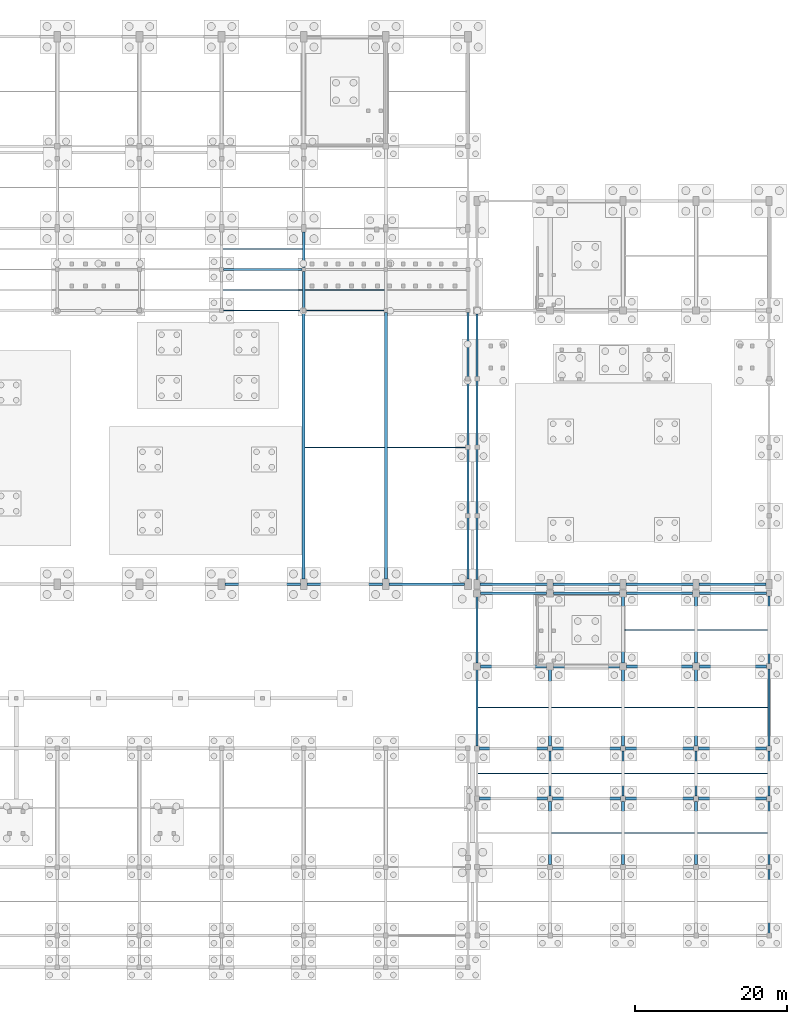
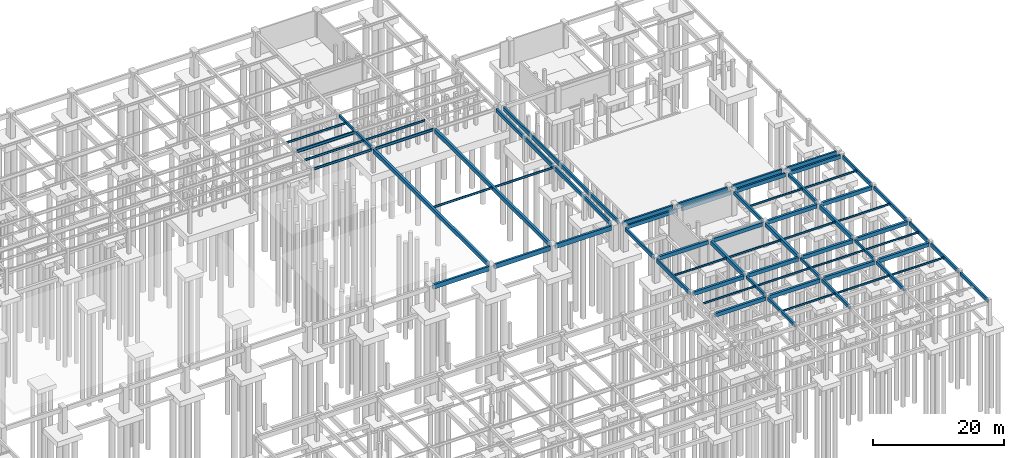
# One storey, part 19 of 33: 68 beams.
"""IFC4 building model written with IfcOpenShell, lengths in metres."""

from ifc_helpers import new_model, si_unit, direction, frame, origin, origin_2d, place, context, subcontext, project, spatial, rectangle, i_section, extrude, material, material_profile, profile_set, type_object, element, save


model = new_model("IFC4")

# Units and contexts
model_context = context("Model", 3, precision=1e-05, world=origin(), true_north=direction((0.0, 1.0)))
body_context = subcontext(model_context, "Body", "Model", "MODEL_VIEW")
ifc_project = project(units=[si_unit("LENGTHUNIT", "METRE"), si_unit("AREAUNIT", "SQUARE_METRE"), si_unit("VOLUMEUNIT", "CUBIC_METRE"), si_unit("PLANEANGLEUNIT", "RADIAN"), si_unit("MASSUNIT", "GRAM", prefix="KILO")], contexts=[model_context])

# Site, building, storey
site_placement = place(None, origin())
site = spatial("IfcSite", under=ifc_project, at=site_placement, CompositionType="ELEMENT")
building_placement = place(site_placement, origin())
building = spatial("IfcBuilding", under=site, at=building_placement, Name="Suirenkawa Promenade Aquatics Centre", CompositionType="ELEMENT")
storey_placement = place(building_placement, frame((0.0, 0.0, -4.800048828125)))
storey = spatial("IfcBuildingStorey", under=building, at=storey_placement, Name="B1", CompositionType="ELEMENT", Elevation=-4.800048828125)

# Beams
ifc_material_1 = material(Name="Steel IS 2062 E350 (Grade 350)", Category="steel")
ifc_material_profile_1 = material_profile(ifc_material_1, i_section(OverallWidth=0.139892578125, OverallDepth=0.35009765625, WebThickness=0.008056640625, FlangeThickness=0.013916015625, at=origin_2d()), Name="ISMB 350", Category="steel")
ifc_profile_set_1 = profile_set([ifc_material_profile_1], Name="Steel IS 2062 E350 (Grade 350)")
beam_type_1 = type_object("IfcBeamType", Name="BT-JOIST-ISMB350", PredefinedType="JOIST", material=ifc_profile_set_1)
beam_1_placement = place(storey_placement, frame((156.14404296875, 25.5, 4.363037109375), z_axis=(1.0, 0.0, 0.0), x_axis=(0.0, 1.0, 0.0)))
element("IfcBeam", 1, at=beam_1_placement, inside=storey, type_object=beam_type_1, Name="Secondary floor joist JS-03 BM-1593", PredefinedType="JOIST", context=body_context, shape_type="SweptSolid", body=[
    extrude(i_section(OverallWidth=0.139892578125, OverallDepth=0.35009765625, WebThickness=0.008056640625, FlangeThickness=0.013916015625, at=origin_2d()), origin(), (0.0, 0.0, 1.0), 9.31201171875),
])
for number, where, z_axis, x_axis, name in (
    (2, (156.14404296875, 34.199951171875, 4.363037109375), (1.0, 0.0, 0.0), (0.0, 1.0, 0.0), "Secondary floor joist JS-03 BM-1594"),
    (3, (165.76904296875, 17.699951171875, 4.363037109375), (1.0, 0.0, 0.0), (0.0, 1.0, 0.0), "Secondary floor joist JS-03 BM-1596"),
):
    element("IfcBeam", number, at=place(storey_placement, frame(where, z_axis=z_axis, x_axis=x_axis)), inside=storey, type_object=beam_type_1, Name=name, PredefinedType="JOIST", context=body_context, shape_type="SweptSolid", body=[
        extrude(i_section(OverallWidth=0.139892578125, OverallDepth=0.35009765625, WebThickness=0.008056640625, FlangeThickness=0.013916015625, at=origin_2d()), origin(), (0.0, 0.0, 1.0), 9.261962890625),
    ])
beam_2_placement = place(storey_placement, frame((165.743896484375, 25.5, 4.363037109375), z_axis=(1.0, 0.0, 0.0), x_axis=(0.0, 1.0, 0.0)))
element("IfcBeam", 4, at=beam_2_placement, inside=storey, type_object=beam_type_1, Name="Secondary floor joist JS-03 BM-1597", PredefinedType="JOIST", context=body_context, shape_type="SweptSolid", body=[
    extrude(i_section(OverallWidth=0.139892578125, OverallDepth=0.35009765625, WebThickness=0.008056640625, FlangeThickness=0.013916015625, at=origin_2d()), origin(), (0.0, 0.0, 1.0), 9.31201171875),
])
beam_3_placement = place(storey_placement, frame((165.7939453125, 34.199951171875, 4.363037109375), z_axis=(1.0, 0.0, 0.0), x_axis=(0.0, 1.0, 0.0)))
element("IfcBeam", 5, at=beam_3_placement, inside=storey, type_object=beam_type_1, Name="Secondary floor joist JS-03 BM-1598", PredefinedType="JOIST", context=body_context, shape_type="SweptSolid", body=[
    extrude(i_section(OverallWidth=0.139892578125, OverallDepth=0.35009765625, WebThickness=0.008056640625, FlangeThickness=0.013916015625, at=origin_2d()), origin(), (0.0, 0.0, 1.0), 9.212158203125),
])
beam_4_placement = place(storey_placement, frame((175.368896484375, 17.699951171875, 4.363037109375), z_axis=(1.0, 0.0, 0.0), x_axis=(0.0, 1.0, 0.0)))
element("IfcBeam", 6, at=beam_4_placement, inside=storey, type_object=beam_type_1, Name="Secondary floor joist JS-03 BM-1600", PredefinedType="JOIST", context=body_context, shape_type="SweptSolid", body=[
    extrude(i_section(OverallWidth=0.139892578125, OverallDepth=0.35009765625, WebThickness=0.008056640625, FlangeThickness=0.013916015625, at=origin_2d()), origin(), (0.0, 0.0, 1.0), 9.26220703125),
])
beam_5_placement = place(storey_placement, frame((175.343994140625, 25.5, 4.363037109375), z_axis=(1.0, 0.0, 0.0), x_axis=(0.0, 1.0, 0.0)))
element("IfcBeam", 7, at=beam_5_placement, inside=storey, type_object=beam_type_1, Name="Secondary floor joist JS-03 BM-1601", PredefinedType="JOIST", context=body_context, shape_type="SweptSolid", body=[
    extrude(i_section(OverallWidth=0.139892578125, OverallDepth=0.35009765625, WebThickness=0.008056640625, FlangeThickness=0.013916015625, at=origin_2d()), origin(), (0.0, 0.0, 1.0), 9.31201171875),
])
beam_6_placement = place(storey_placement, frame((175.39404296875, 34.199951171875, 4.363037109375), z_axis=(1.0, 0.0, 0.0), x_axis=(0.0, 1.0, 0.0)))
element("IfcBeam", 8, at=beam_6_placement, inside=storey, type_object=beam_type_1, Name="Secondary floor joist JS-03 BM-1602", PredefinedType="JOIST", context=body_context, shape_type="SweptSolid", body=[
    extrude(i_section(OverallWidth=0.139892578125, OverallDepth=0.35009765625, WebThickness=0.008056640625, FlangeThickness=0.013916015625, at=origin_2d()), origin(), (0.0, 0.0, 1.0), 9.2119140625),
])
beam_7_placement = place(storey_placement, frame((175.368896484375, 44.39990234375, 4.363037109375), z_axis=(1.0, 0.0, 0.0), x_axis=(0.0, 1.0, 0.0)))
element("IfcBeam", 9, at=beam_7_placement, inside=storey, type_object=beam_type_1, Name="Secondary floor joist JS-03 BM-1603", PredefinedType="JOIST", context=body_context, shape_type="SweptSolid", body=[
    extrude(i_section(OverallWidth=0.139892578125, OverallDepth=0.35009765625, WebThickness=0.008056640625, FlangeThickness=0.013916015625, at=origin_2d()), origin(), (0.0, 0.0, 1.0), 9.26220703125),
])
beam_8_placement = place(storey_placement, frame((184.968994140625, 17.699951171875, 4.363037109375), z_axis=(1.0, 0.0, 0.0), x_axis=(0.0, 1.0, 0.0)))
element("IfcBeam", 10, at=beam_8_placement, inside=storey, type_object=beam_type_1, Name="Secondary floor joist JS-03 BM-1605", PredefinedType="JOIST", context=body_context, shape_type="SweptSolid", body=[
    extrude(i_section(OverallWidth=0.139892578125, OverallDepth=0.35009765625, WebThickness=0.008056640625, FlangeThickness=0.013916015625, at=origin_2d()), origin(), (0.0, 0.0, 1.0), 9.287109375),
])
beam_9_placement = place(storey_placement, frame((184.944091796875, 25.5, 4.363037109375), z_axis=(1.0, 0.0, 0.0), x_axis=(0.0, 1.0, 0.0)))
element("IfcBeam", 11, at=beam_9_placement, inside=storey, type_object=beam_type_1, Name="Secondary floor joist JS-03 BM-1606", PredefinedType="JOIST", context=body_context, shape_type="SweptSolid", body=[
    extrude(i_section(OverallWidth=0.139892578125, OverallDepth=0.35009765625, WebThickness=0.008056640625, FlangeThickness=0.013916015625, at=origin_2d()), origin(), (0.0, 0.0, 1.0), 9.31201171875),
])
beam_10_placement = place(storey_placement, frame((184.993896484375, 34.199951171875, 4.363037109375), z_axis=(1.0, 0.0, 0.0), x_axis=(0.0, 1.0, 0.0)))
element("IfcBeam", 12, at=beam_10_placement, inside=storey, type_object=beam_type_1, Name="Secondary floor joist JS-03 BM-1607", PredefinedType="JOIST", context=body_context, shape_type="SweptSolid", body=[
    extrude(i_section(OverallWidth=0.139892578125, OverallDepth=0.35009765625, WebThickness=0.008056640625, FlangeThickness=0.013916015625, at=origin_2d()), origin(), (0.0, 0.0, 1.0), 9.26220703125),
])
beam_11_placement = place(storey_placement, frame((184.968994140625, 44.39990234375, 4.363037109375), z_axis=(1.0, 0.0, 0.0), x_axis=(0.0, 1.0, 0.0)))
element("IfcBeam", 13, at=beam_11_placement, inside=storey, type_object=beam_type_1, Name="Secondary floor joist JS-03 BM-1608", PredefinedType="JOIST", context=body_context, shape_type="SweptSolid", body=[
    extrude(i_section(OverallWidth=0.139892578125, OverallDepth=0.35009765625, WebThickness=0.008056640625, FlangeThickness=0.013916015625, at=origin_2d()), origin(), (0.0, 0.0, 1.0), 9.287109375),
])
ifc_material_profile_2 = material_profile(ifc_material_1, i_section(OverallWidth=0.139892578125, OverallDepth=0.39990234375, WebThickness=0.009033203125, FlangeThickness=0.01611328125, at=origin_2d()), Name="ISMB 400", Category="steel")
ifc_profile_set_2 = profile_set([ifc_material_profile_2], Name="Steel IS 2062 E350 (Grade 350)")
beam_type_2 = type_object("IfcBeamType", Name="BT-JOIST-ISMB400", PredefinedType="JOIST", material=ifc_profile_set_2)
for number, where, z_axis, x_axis, name in (
    (14, (122.5439453125, 89.10009765625, 4.298095703125), (1.0, 0.0, 0.0), (0.0, 1.0, 0.0), "Secondary floor joist JS-04 BM-1043"),
    (15, (122.5439453125, 94.5, 4.298095703125), (1.0, 0.0, 0.0), (0.0, 1.0, 0.0), "Secondary floor joist JS-04 BM-1044"),
):
    element("IfcBeam", number, at=place(storey_placement, frame(where, z_axis=z_axis, x_axis=x_axis)), inside=storey, type_object=beam_type_2, Name=name, PredefinedType="JOIST", context=body_context, shape_type="SweptSolid", body=[
        extrude(i_section(OverallWidth=0.139892578125, OverallDepth=0.39990234375, WebThickness=0.009033203125, FlangeThickness=0.01611328125, at=origin_2d()), origin(), (0.0, 0.0, 1.0), 10.511962890625),
    ])
beam_12_placement = place(storey_placement, frame((133.39404296875, 68.39990234375, 4.298095703125), z_axis=(1.0, 0.0, 0.0), x_axis=(0.0, 1.0, 0.0)))
element("IfcBeam", 16, at=beam_12_placement, inside=storey, type_object=beam_type_2, Name="Secondary floor joist JS-04 BM-1047", PredefinedType="JOIST", context=body_context, shape_type="SweptSolid", body=[
    extrude(i_section(OverallWidth=0.139892578125, OverallDepth=0.39990234375, WebThickness=0.009033203125, FlangeThickness=0.01611328125, at=origin_2d()), origin(), (0.0, 0.0, 1.0), 10.411865234375),
])
beam_13_placement = place(storey_placement, frame((133.343994140625, 89.10009765625, 4.298095703125), z_axis=(1.0, 0.0, 0.0), x_axis=(0.0, 1.0, 0.0)))
element("IfcBeam", 17, at=beam_13_placement, inside=storey, type_object=beam_type_2, Name="Secondary floor joist JS-04 BM-1048", PredefinedType="JOIST", context=body_context, shape_type="SweptSolid", body=[
    extrude(i_section(OverallWidth=0.139892578125, OverallDepth=0.39990234375, WebThickness=0.009033203125, FlangeThickness=0.01611328125, at=origin_2d()), origin(), (0.0, 0.0, 1.0), 10.511962890625),
])
beam_14_placement = place(storey_placement, frame((144.194091796875, 68.39990234375, 4.298095703125), z_axis=(1.0, 0.0, 0.0), x_axis=(0.0, 1.0, 0.0)))
element("IfcBeam", 18, at=beam_14_placement, inside=storey, type_object=beam_type_2, Name="Secondary floor joist JS-04 BM-1051", PredefinedType="JOIST", context=body_context, shape_type="SweptSolid", body=[
    extrude(i_section(OverallWidth=0.139892578125, OverallDepth=0.39990234375, WebThickness=0.009033203125, FlangeThickness=0.01611328125, at=origin_2d()), origin(), (0.0, 0.0, 1.0), 10.4619140625),
])
ifc_material_2 = material(Name="Concrete M35", Category="concrete")
ifc_material_profile_3 = material_profile(ifc_material_2, rectangle(XDim=0.300048828125, YDim=0.550048828125, at=origin_2d()), Name="RC BM 300x550", Category="concrete")
ifc_profile_set_3 = profile_set([ifc_material_profile_3], Name="Concrete M35")
beam_type_3 = type_object("IfcBeamType", Name="BT-RC-300x550", PredefinedType="BEAM", material=ifc_profile_set_3)
beam_15_placement = place(storey_placement, frame((133.199951171875, 86.64404296875, 4.22509765625), z_axis=(0.0, 1.0, 0.0), x_axis=(-1.0, 0.0, 0.0)))
element("IfcBeam", 19, at=beam_15_placement, inside=storey, type_object=beam_type_3, Name="Floor beam BM-01 BM-1002", PredefinedType="BEAM", context=body_context, shape_type="SweptSolid", body=[
    extrude(rectangle(XDim=0.300048828125, YDim=0.550048828125, at=origin_2d()), origin(), (0.0, 0.0, 1.0), 4.911865234375),
])
beam_16_placement = place(storey_placement, frame((133.199951171875, 92.0439453125, 4.22509765625), z_axis=(0.0, 1.0, 0.0), x_axis=(-1.0, 0.0, 0.0)))
element("IfcBeam", 20, at=beam_16_placement, inside=storey, type_object=beam_type_3, Name="Floor beam BM-01 BM-1003", PredefinedType="BEAM", context=body_context, shape_type="SweptSolid", body=[
    extrude(rectangle(XDim=0.300048828125, YDim=0.550048828125, at=origin_2d()), origin(), (0.0, 0.0, 1.0), 4.662109375),
])
for number, where, z_axis, x_axis, name in (
    (21, (165.60009765625, 22.5439453125, 4.26513671875), (0.0, 1.0, 0.0), (-1.0, 0.0, 0.0), "Floor beam BM-01 BM-1574"),
    (22, (175.199951171875, 22.5439453125, 4.26513671875), (0.0, 1.0, 0.0), (-1.0, 0.0, 0.0), "Floor beam BM-01 BM-1578"),
    (23, (184.800048828125, 22.5439453125, 4.26513671875), (0.0, 1.0, 0.0), (-1.0, 0.0, 0.0), "Floor beam BM-01 BM-1583"),
):
    element("IfcBeam", number, at=place(storey_placement, frame(where, z_axis=z_axis, x_axis=x_axis)), inside=storey, type_object=beam_type_3, Name=name, PredefinedType="BEAM", context=body_context, shape_type="SweptSolid", body=[
        extrude(rectangle(XDim=0.300048828125, YDim=0.550048828125, at=origin_2d()), origin(), (0.0, 0.0, 1.0), 5.912109375),
    ])
ifc_material_profile_4 = material_profile(ifc_material_2, rectangle(XDim=0.35009765625, YDim=0.60009765625, at=origin_2d()), Name="RC BM 350x600", Category="concrete")
ifc_profile_set_4 = profile_set([ifc_material_profile_4], Name="Concrete M35")
beam_type_4 = type_object("IfcBeamType", Name="BT-RC-350x600", PredefinedType="BEAM", material=ifc_profile_set_4)
for number, where, z_axis, x_axis, name in (
    (24, (165.60009765625, 13.5439453125, 4.239990234375), (0.0, 1.0, 0.0), (-1.0, 0.0, 0.0), "Floor beam BM-02 BM-1573"),
    (25, (175.199951171875, 13.5439453125, 4.239990234375), (0.0, 1.0, 0.0), (-1.0, 0.0, 0.0), "Floor beam BM-02 BM-1577"),
):
    element("IfcBeam", number, at=place(storey_placement, frame(where, z_axis=z_axis, x_axis=x_axis)), inside=storey, type_object=beam_type_4, Name=name, PredefinedType="BEAM", context=body_context, shape_type="SweptSolid", body=[
        extrude(rectangle(XDim=0.35009765625, YDim=0.60009765625, at=origin_2d()), origin(), (0.0, 0.0, 1.0), 8.31201171875),
    ])
beam_17_placement = place(storey_placement, frame((175.199951171875, 40.0439453125, 4.239990234375), z_axis=(0.0, 1.0, 0.0), x_axis=(-1.0, 0.0, 0.0)))
element("IfcBeam", 26, at=beam_17_placement, inside=storey, type_object=beam_type_4, Name="Floor beam BM-02 BM-1580", PredefinedType="BEAM", context=body_context, shape_type="SweptSolid", body=[
    extrude(rectangle(XDim=0.35009765625, YDim=0.60009765625, at=origin_2d()), origin(), (0.0, 0.0, 1.0), 8.712158203125),
])
beam_18_placement = place(storey_placement, frame((184.800048828125, 13.5439453125, 4.239990234375), z_axis=(0.0, 1.0, 0.0), x_axis=(-1.0, 0.0, 0.0)))
element("IfcBeam", 27, at=beam_18_placement, inside=storey, type_object=beam_type_4, Name="Floor beam BM-02 BM-1582", PredefinedType="BEAM", context=body_context, shape_type="SweptSolid", body=[
    extrude(rectangle(XDim=0.35009765625, YDim=0.60009765625, at=origin_2d()), origin(), (0.0, 0.0, 1.0), 8.31201171875),
])
beam_19_placement = place(storey_placement, frame((184.800048828125, 40.0439453125, 4.239990234375), z_axis=(0.0, 1.0, 0.0), x_axis=(-1.0, 0.0, 0.0)))
element("IfcBeam", 28, at=beam_19_placement, inside=storey, type_object=beam_type_4, Name="Floor beam BM-02 BM-1585", PredefinedType="BEAM", context=body_context, shape_type="SweptSolid", body=[
    extrude(rectangle(XDim=0.35009765625, YDim=0.60009765625, at=origin_2d()), origin(), (0.0, 0.0, 1.0), 8.712158203125),
])
ifc_material_profile_5 = material_profile(ifc_material_2, rectangle(XDim=0.39990234375, YDim=0.699951171875, at=origin_2d()), Name="RC BM 400x700", Category="concrete")
ifc_profile_set_5 = profile_set([ifc_material_profile_5], Name="Concrete M35")
beam_type_5 = type_object("IfcBeamType", Name="BT-RC-400x700", PredefinedType="BEAM", material=ifc_profile_set_5)
beam_20_placement = place(storey_placement, frame((156.343994140625, 22.199951171875, 4.18994140625), z_axis=(1.0, 0.0, 0.0), x_axis=(0.0, 1.0, 0.0)))
element("IfcBeam", 29, at=beam_20_placement, inside=storey, type_object=beam_type_5, Name="Floor beam BM-04 BM-1551", PredefinedType="BEAM", context=body_context, shape_type="SweptSolid", body=[
    extrude(rectangle(XDim=0.39990234375, YDim=0.699951171875, at=origin_2d()), origin(), (0.0, 0.0, 1.0), 8.912109375),
])
beam_21_placement = place(storey_placement, frame((165.944091796875, 22.199951171875, 4.18994140625), z_axis=(1.0, 0.0, 0.0), x_axis=(0.0, 1.0, 0.0)))
element("IfcBeam", 30, at=beam_21_placement, inside=storey, type_object=beam_type_5, Name="Floor beam BM-04 BM-1552", PredefinedType="BEAM", context=body_context, shape_type="SweptSolid", body=[
    extrude(rectangle(XDim=0.39990234375, YDim=0.699951171875, at=origin_2d()), origin(), (0.0, 0.0, 1.0), 8.911865234375),
])
beam_22_placement = place(storey_placement, frame((175.5439453125, 22.199951171875, 4.18994140625), z_axis=(1.0, 0.0, 0.0), x_axis=(0.0, 1.0, 0.0)))
element("IfcBeam", 31, at=beam_22_placement, inside=storey, type_object=beam_type_5, Name="Floor beam BM-04 BM-1553", PredefinedType="BEAM", context=body_context, shape_type="SweptSolid", body=[
    extrude(rectangle(XDim=0.39990234375, YDim=0.699951171875, at=origin_2d()), origin(), (0.0, 0.0, 1.0), 8.912109375),
])
beam_23_placement = place(storey_placement, frame((185.14404296875, 22.199951171875, 4.18994140625), z_axis=(1.0, 0.0, 0.0), x_axis=(0.0, 1.0, 0.0)))
element("IfcBeam", 32, at=beam_23_placement, inside=storey, type_object=beam_type_5, Name="Floor beam BM-04 BM-1554", PredefinedType="BEAM", context=body_context, shape_type="SweptSolid", body=[
    extrude(rectangle(XDim=0.39990234375, YDim=0.699951171875, at=origin_2d()), origin(), (0.0, 0.0, 1.0), 8.911865234375),
])
beam_24_placement = place(storey_placement, frame((156.343994140625, 28.800048828125, 4.18994140625), z_axis=(1.0, 0.0, 0.0), x_axis=(0.0, 1.0, 0.0)))
element("IfcBeam", 33, at=beam_24_placement, inside=storey, type_object=beam_type_5, Name="Floor beam BM-04 BM-1555", PredefinedType="BEAM", context=body_context, shape_type="SweptSolid", body=[
    extrude(rectangle(XDim=0.39990234375, YDim=0.699951171875, at=origin_2d()), origin(), (0.0, 0.0, 1.0), 8.912109375),
])
beam_25_placement = place(storey_placement, frame((165.944091796875, 28.800048828125, 4.18994140625), z_axis=(1.0, 0.0, 0.0), x_axis=(0.0, 1.0, 0.0)))
element("IfcBeam", 34, at=beam_25_placement, inside=storey, type_object=beam_type_5, Name="Floor beam BM-04 BM-1556", PredefinedType="BEAM", context=body_context, shape_type="SweptSolid", body=[
    extrude(rectangle(XDim=0.39990234375, YDim=0.699951171875, at=origin_2d()), origin(), (0.0, 0.0, 1.0), 8.911865234375),
])
beam_26_placement = place(storey_placement, frame((175.5439453125, 28.800048828125, 4.18994140625), z_axis=(1.0, 0.0, 0.0), x_axis=(0.0, 1.0, 0.0)))
element("IfcBeam", 35, at=beam_26_placement, inside=storey, type_object=beam_type_5, Name="Floor beam BM-04 BM-1557", PredefinedType="BEAM", context=body_context, shape_type="SweptSolid", body=[
    extrude(rectangle(XDim=0.39990234375, YDim=0.699951171875, at=origin_2d()), origin(), (0.0, 0.0, 1.0), 8.912109375),
])
beam_27_placement = place(storey_placement, frame((185.14404296875, 28.800048828125, 4.18994140625), z_axis=(1.0, 0.0, 0.0), x_axis=(0.0, 1.0, 0.0)))
element("IfcBeam", 36, at=beam_27_placement, inside=storey, type_object=beam_type_5, Name="Floor beam BM-04 BM-1558", PredefinedType="BEAM", context=body_context, shape_type="SweptSolid", body=[
    extrude(rectangle(XDim=0.39990234375, YDim=0.699951171875, at=origin_2d()), origin(), (0.0, 0.0, 1.0), 8.911865234375),
])
beam_28_placement = place(storey_placement, frame((156.444091796875, 39.60009765625, 4.18994140625), z_axis=(1.0, 0.0, 0.0), x_axis=(0.0, 1.0, 0.0)))
element("IfcBeam", 37, at=beam_28_placement, inside=storey, type_object=beam_type_5, Name="Floor beam BM-04 BM-1559", PredefinedType="BEAM", context=body_context, shape_type="SweptSolid", body=[
    extrude(rectangle(XDim=0.39990234375, YDim=0.699951171875, at=origin_2d()), origin(), (0.0, 0.0, 1.0), 8.7119140625),
])
beam_29_placement = place(storey_placement, frame((166.0439453125, 39.60009765625, 4.18994140625), z_axis=(1.0, 0.0, 0.0), x_axis=(0.0, 1.0, 0.0)))
element("IfcBeam", 38, at=beam_29_placement, inside=storey, type_object=beam_type_5, Name="Floor beam BM-04 BM-1560", PredefinedType="BEAM", context=body_context, shape_type="SweptSolid", body=[
    extrude(rectangle(XDim=0.39990234375, YDim=0.699951171875, at=origin_2d()), origin(), (0.0, 0.0, 1.0), 8.712158203125),
])
beam_30_placement = place(storey_placement, frame((175.64404296875, 39.60009765625, 4.18994140625), z_axis=(1.0, 0.0, 0.0), x_axis=(0.0, 1.0, 0.0)))
element("IfcBeam", 39, at=beam_30_placement, inside=storey, type_object=beam_type_5, Name="Floor beam BM-04 BM-1561", PredefinedType="BEAM", context=body_context, shape_type="SweptSolid", body=[
    extrude(rectangle(XDim=0.39990234375, YDim=0.699951171875, at=origin_2d()), origin(), (0.0, 0.0, 1.0), 8.7119140625),
])
beam_31_placement = place(storey_placement, frame((185.243896484375, 39.60009765625, 4.18994140625), z_axis=(1.0, 0.0, 0.0), x_axis=(0.0, 1.0, 0.0)))
element("IfcBeam", 40, at=beam_31_placement, inside=storey, type_object=beam_type_5, Name="Floor beam BM-04 BM-1562", PredefinedType="BEAM", context=body_context, shape_type="SweptSolid", body=[
    extrude(rectangle(XDim=0.39990234375, YDim=0.699951171875, at=origin_2d()), origin(), (0.0, 0.0, 1.0), 8.81201171875),
])
ifc_material_3 = material(Name="Concrete M40", Category="concrete")
ifc_material_profile_6 = material_profile(ifc_material_3, rectangle(XDim=0.39990234375, YDim=0.75, at=origin_2d()), Name="RC BM 400x750", Category="concrete")
ifc_profile_set_6 = profile_set([ifc_material_profile_6], Name="Concrete M40")
beam_type_6 = type_object("IfcBeamType", Name="BT-RC-400x750", PredefinedType="BEAM", material=ifc_profile_set_6)
for number, where, z_axis, x_axis, name in (
    (41, (133.199951171875, 51.093994140625, 4.125), (0.0, 1.0, 0.0), (-1.0, 0.0, 0.0), "Floor beam BM-05 BM-1001"),
    (42, (144.0, 51.093994140625, 4.125), (0.0, 1.0, 0.0), (-1.0, 0.0, 0.0), "Floor beam BM-05 BM-1006"),
):
    element("IfcBeam", number, at=place(storey_placement, frame(where, z_axis=z_axis, x_axis=x_axis)), inside=storey, type_object=beam_type_6, Name=name, PredefinedType="BEAM", context=body_context, shape_type="SweptSolid", body=[
        extrude(rectangle(XDim=0.39990234375, YDim=0.75, at=origin_2d()), origin(), (0.0, 0.0, 1.0), 35.06201171875),
    ])
for number, where, z_axis, x_axis, name in (
    (43, (165.60009765625, 29.14404296875, 4.1650390625), (0.0, 1.0, 0.0), (-1.0, 0.0, 0.0), "Floor beam BM-05 BM-1575"),
    (44, (175.199951171875, 29.14404296875, 4.1650390625), (0.0, 1.0, 0.0), (-1.0, 0.0, 0.0), "Floor beam BM-05 BM-1579"),
    (45, (184.800048828125, 29.14404296875, 4.1650390625), (0.0, 1.0, 0.0), (-1.0, 0.0, 0.0), "Floor beam BM-05 BM-1584"),
):
    element("IfcBeam", number, at=place(storey_placement, frame(where, z_axis=z_axis, x_axis=x_axis)), inside=storey, type_object=beam_type_6, Name=name, PredefinedType="BEAM", context=body_context, shape_type="SweptSolid", body=[
        extrude(rectangle(XDim=0.39990234375, YDim=0.75, at=origin_2d()), origin(), (0.0, 0.0, 1.0), 10.011962890625),
    ])
ifc_material_profile_7 = material_profile(ifc_material_3, rectangle(XDim=0.300048828125, YDim=0.699951171875, at=origin_2d()), Name="RC SPANDREL 300x700", Category="concrete")
ifc_profile_set_7 = profile_set([ifc_material_profile_7], Name="Concrete M40")
beam_type_7 = type_object("IfcBeamType", Name="BT-SPANDREL-300x700", PredefinedType="SPANDREL", material=ifc_profile_set_7)
beam_32_placement = place(storey_placement, frame((154.800048828125, 51.093994140625, 4.150146484375), z_axis=(0.0, 1.0, 0.0), x_axis=(-1.0, 0.0, 0.0)))
element("IfcBeam", 46, at=beam_32_placement, inside=storey, type_object=beam_type_7, Name="Floor beam SP-01 BM-1011", PredefinedType="SPANDREL", context=body_context, shape_type="SweptSolid", body=[
    extrude(rectangle(XDim=0.300048828125, YDim=0.699951171875, at=origin_2d()), origin(), (0.0, 0.0, 1.0), 35.06201171875),
])
for number, where, z_axis, x_axis, name in (
    (47, (156.368896484375, 50.39990234375, 4.150146484375), (1.0, 0.0, 0.0), (0.0, 1.0, 0.0), "Floor beam SP-01 BM-1373"),
    (48, (165.968994140625, 50.39990234375, 4.150146484375), (1.0, 0.0, 0.0), (0.0, 1.0, 0.0), "Floor beam SP-01 BM-1374"),
):
    element("IfcBeam", number, at=place(storey_placement, frame(where, z_axis=z_axis, x_axis=x_axis)), inside=storey, type_object=beam_type_7, Name=name, PredefinedType="SPANDREL", context=body_context, shape_type="SweptSolid", body=[
        extrude(rectangle(XDim=0.300048828125, YDim=0.699951171875, at=origin_2d()), origin(), (0.0, 0.0, 1.0), 8.862060546875),
    ])
beam_33_placement = place(storey_placement, frame((175.569091796875, 50.39990234375, 4.150146484375), z_axis=(1.0, 0.0, 0.0), x_axis=(0.0, 1.0, 0.0)))
element("IfcBeam", 49, at=beam_33_placement, inside=storey, type_object=beam_type_7, Name="Floor beam SP-01 BM-1375", PredefinedType="SPANDREL", context=body_context, shape_type="SweptSolid", body=[
    extrude(rectangle(XDim=0.300048828125, YDim=0.699951171875, at=origin_2d()), origin(), (0.0, 0.0, 1.0), 8.86181640625),
])
beam_34_placement = place(storey_placement, frame((185.1689453125, 50.39990234375, 4.150146484375), z_axis=(1.0, 0.0, 0.0), x_axis=(0.0, 1.0, 0.0)))
element("IfcBeam", 50, at=beam_34_placement, inside=storey, type_object=beam_type_7, Name="Floor beam SP-01 BM-1376", PredefinedType="SPANDREL", context=body_context, shape_type="SweptSolid", body=[
    extrude(rectangle(XDim=0.300048828125, YDim=0.699951171875, at=origin_2d()), origin(), (0.0, 0.0, 1.0), 8.862060546875),
])
beam_35_placement = place(storey_placement, frame((156.0, 50.993896484375, 4.150146484375), z_axis=(0.0, 1.0, 0.0), x_axis=(-1.0, 0.0, 0.0)))
element("IfcBeam", 51, at=beam_35_placement, inside=storey, type_object=beam_type_7, Name="Floor beam SP-01 BM-1385", PredefinedType="SPANDREL", context=body_context, shape_type="SweptSolid", body=[
    extrude(rectangle(XDim=0.300048828125, YDim=0.699951171875, at=origin_2d()), origin(), (0.0, 0.0, 1.0), 34.962158203125),
])
beam_36_placement = place(storey_placement, frame((156.444091796875, 49.199951171875, 4.18994140625), z_axis=(1.0, 0.0, 0.0), x_axis=(0.0, 1.0, 0.0)))
element("IfcBeam", 52, at=beam_36_placement, inside=storey, type_object=beam_type_7, Name="Floor beam SP-01 BM-1563", PredefinedType="SPANDREL", context=body_context, shape_type="SweptSolid", body=[
    extrude(rectangle(XDim=0.300048828125, YDim=0.699951171875, at=origin_2d()), origin(), (0.0, 0.0, 1.0), 8.7119140625),
])
beam_37_placement = place(storey_placement, frame((166.0439453125, 49.199951171875, 4.18994140625), z_axis=(1.0, 0.0, 0.0), x_axis=(0.0, 1.0, 0.0)))
element("IfcBeam", 53, at=beam_37_placement, inside=storey, type_object=beam_type_7, Name="Floor beam SP-01 BM-1564", PredefinedType="SPANDREL", context=body_context, shape_type="SweptSolid", body=[
    extrude(rectangle(XDim=0.300048828125, YDim=0.699951171875, at=origin_2d()), origin(), (0.0, 0.0, 1.0), 8.712158203125),
])
beam_38_placement = place(storey_placement, frame((175.64404296875, 49.199951171875, 4.18994140625), z_axis=(1.0, 0.0, 0.0), x_axis=(0.0, 1.0, 0.0)))
element("IfcBeam", 54, at=beam_38_placement, inside=storey, type_object=beam_type_7, Name="Floor beam SP-01 BM-1565", PredefinedType="SPANDREL", context=body_context, shape_type="SweptSolid", body=[
    extrude(rectangle(XDim=0.300048828125, YDim=0.699951171875, at=origin_2d()), origin(), (0.0, 0.0, 1.0), 8.7119140625),
])
beam_39_placement = place(storey_placement, frame((185.243896484375, 49.199951171875, 4.18994140625), z_axis=(1.0, 0.0, 0.0), x_axis=(0.0, 1.0, 0.0)))
element("IfcBeam", 55, at=beam_39_placement, inside=storey, type_object=beam_type_7, Name="Floor beam SP-01 BM-1566", PredefinedType="SPANDREL", context=body_context, shape_type="SweptSolid", body=[
    extrude(rectangle(XDim=0.300048828125, YDim=0.699951171875, at=origin_2d()), origin(), (0.0, 0.0, 1.0), 8.81201171875),
])
beam_40_placement = place(storey_placement, frame((156.0, 29.14404296875, 4.18994140625), z_axis=(0.0, 1.0, 0.0), x_axis=(-1.0, 0.0, 0.0)))
element("IfcBeam", 56, at=beam_40_placement, inside=storey, type_object=beam_type_7, Name="Floor beam SP-01 BM-1570", PredefinedType="SPANDREL", context=body_context, shape_type="SweptSolid", body=[
    extrude(rectangle(XDim=0.300048828125, YDim=0.699951171875, at=origin_2d()), origin(), (0.0, 0.0, 1.0), 10.011962890625),
])
beam_41_placement = place(storey_placement, frame((156.0, 40.0439453125, 4.18994140625), z_axis=(0.0, 1.0, 0.0), x_axis=(-1.0, 0.0, 0.0)))
element("IfcBeam", 57, at=beam_41_placement, inside=storey, type_object=beam_type_7, Name="Floor beam SP-01 BM-1571", PredefinedType="SPANDREL", context=body_context, shape_type="SweptSolid", body=[
    extrude(rectangle(XDim=0.300048828125, YDim=0.699951171875, at=origin_2d()), origin(), (0.0, 0.0, 1.0), 8.712158203125),
])
beam_42_placement = place(storey_placement, frame((194.39990234375, 4.493896484375, 4.18994140625), z_axis=(0.0, 1.0, 0.0), x_axis=(-1.0, 0.0, 0.0)))
element("IfcBeam", 58, at=beam_42_placement, inside=storey, type_object=beam_type_7, Name="Floor beam SP-01 BM-1586", PredefinedType="SPANDREL", context=body_context, shape_type="SweptSolid", body=[
    extrude(rectangle(XDim=0.300048828125, YDim=0.699951171875, at=origin_2d()), origin(), (0.0, 0.0, 1.0), 8.362060546875),
])
beam_43_placement = place(storey_placement, frame((194.39990234375, 13.5439453125, 4.18994140625), z_axis=(0.0, 1.0, 0.0), x_axis=(-1.0, 0.0, 0.0)))
element("IfcBeam", 59, at=beam_43_placement, inside=storey, type_object=beam_type_7, Name="Floor beam SP-01 BM-1587", PredefinedType="SPANDREL", context=body_context, shape_type="SweptSolid", body=[
    extrude(rectangle(XDim=0.300048828125, YDim=0.699951171875, at=origin_2d()), origin(), (0.0, 0.0, 1.0), 8.31201171875),
])
beam_44_placement = place(storey_placement, frame((194.39990234375, 22.5439453125, 4.18994140625), z_axis=(0.0, 1.0, 0.0), x_axis=(-1.0, 0.0, 0.0)))
element("IfcBeam", 60, at=beam_44_placement, inside=storey, type_object=beam_type_7, Name="Floor beam SP-01 BM-1588", PredefinedType="SPANDREL", context=body_context, shape_type="SweptSolid", body=[
    extrude(rectangle(XDim=0.300048828125, YDim=0.699951171875, at=origin_2d()), origin(), (0.0, 0.0, 1.0), 5.912109375),
])
beam_45_placement = place(storey_placement, frame((194.39990234375, 29.14404296875, 4.18994140625), z_axis=(0.0, 1.0, 0.0), x_axis=(-1.0, 0.0, 0.0)))
element("IfcBeam", 61, at=beam_45_placement, inside=storey, type_object=beam_type_7, Name="Floor beam SP-01 BM-1589", PredefinedType="SPANDREL", context=body_context, shape_type="SweptSolid", body=[
    extrude(rectangle(XDim=0.300048828125, YDim=0.699951171875, at=origin_2d()), origin(), (0.0, 0.0, 1.0), 10.112060546875),
])
beam_46_placement = place(storey_placement, frame((194.39990234375, 39.944091796875, 4.18994140625), z_axis=(0.0, 1.0, 0.0), x_axis=(-1.0, 0.0, 0.0)))
element("IfcBeam", 62, at=beam_46_placement, inside=storey, type_object=beam_type_7, Name="Floor beam SP-01 BM-1590", PredefinedType="SPANDREL", context=body_context, shape_type="SweptSolid", body=[
    extrude(rectangle(XDim=0.300048828125, YDim=0.699951171875, at=origin_2d()), origin(), (0.0, 0.0, 1.0), 8.911865234375),
])
ifc_material_profile_8 = material_profile(ifc_material_3, rectangle(XDim=0.35009765625, YDim=0.85009765625, at=origin_2d()), Name="RC SPANDREL 350x850", Category="concrete")
ifc_profile_set_8 = profile_set([ifc_material_profile_8], Name="Concrete M40")
beam_type_8 = type_object("IfcBeamType", Name="BT-SPANDREL-350x850", PredefinedType="SPANDREL", material=ifc_profile_set_8)
beam_47_placement = place(storey_placement, frame((122.843994140625, 50.39990234375, 4.074951171875), z_axis=(1.0, 0.0, 0.0), x_axis=(0.0, 1.0, 0.0)))
element("IfcBeam", 63, at=beam_47_placement, inside=storey, type_object=beam_type_8, Name="Floor beam SP-02 BM-0915", PredefinedType="SPANDREL", context=body_context, shape_type="SweptSolid", body=[
    extrude(rectangle(XDim=0.35009765625, YDim=0.85009765625, at=origin_2d()), origin(), (0.0, 0.0, 1.0), 9.912109375),
])
for number, where, z_axis, x_axis, name in (
    (64, (133.64404296875, 50.39990234375, 4.074951171875), (1.0, 0.0, 0.0), (0.0, 1.0, 0.0), "Floor beam SP-02 BM-0916"),
    (65, (144.444091796875, 50.39990234375, 4.074951171875), (1.0, 0.0, 0.0), (0.0, 1.0, 0.0), "Floor beam SP-02 BM-0917"),
):
    element("IfcBeam", number, at=place(storey_placement, frame(where, z_axis=z_axis, x_axis=x_axis)), inside=storey, type_object=beam_type_8, Name=name, PredefinedType="SPANDREL", context=body_context, shape_type="SweptSolid", body=[
        extrude(rectangle(XDim=0.35009765625, YDim=0.85009765625, at=origin_2d()), origin(), (0.0, 0.0, 1.0), 9.911865234375),
    ])
ifc_material_profile_9 = material_profile(ifc_material_1, i_section(OverallWidth=0.14990234375, OverallDepth=0.449951171875, WebThickness=0.009033203125, FlangeThickness=0.01708984375, at=origin_2d()), Name="ISMB 450", Category="steel")
ifc_profile_set_9 = profile_set([ifc_material_profile_9], Name="Steel IS 2062 E350 (Grade 350)")
beam_type_9 = type_object("IfcBeamType", Name="BT-STL-ISMB450", PredefinedType="BEAM", material=ifc_profile_set_9)
beam_48_placement = place(storey_placement, frame((122.64404296875, 86.39990234375, 4.275146484375), z_axis=(1.0, 0.0, 0.0), x_axis=(0.0, 1.0, 0.0)))
element("IfcBeam", 66, at=beam_48_placement, inside=storey, type_object=beam_type_9, Name="Floor beam BM-08 BM-0925", PredefinedType="BEAM", context=body_context, shape_type="SweptSolid", body=[
    extrude(i_section(OverallWidth=0.14990234375, OverallDepth=0.449951171875, WebThickness=0.009033203125, FlangeThickness=0.01708984375, at=origin_2d()), origin(), (0.0, 0.0, 1.0), 10.31201171875),
])
ifc_material_profile_10 = material_profile(ifc_material_1, i_section(OverallWidth=0.179931640625, OverallDepth=0.5, WebThickness=0.010009765625, FlangeThickness=0.01708984375, at=origin_2d()), Name="ISMB 500", Category="steel")
ifc_profile_set_10 = profile_set([ifc_material_profile_10], Name="Steel IS 2062 E350 (Grade 350)")
beam_type_10 = type_object("IfcBeamType", Name="BT-STL-ISMB500", PredefinedType="BEAM", material=ifc_profile_set_10)
beam_49_placement = place(storey_placement, frame((133.444091796875, 86.39990234375, 4.25), z_axis=(1.0, 0.0, 0.0), x_axis=(0.0, 1.0, 0.0)))
element("IfcBeam", 67, at=beam_49_placement, inside=storey, type_object=beam_type_10, Name="Floor beam BM-09 BM-0926", PredefinedType="BEAM", context=body_context, shape_type="SweptSolid", body=[
    extrude(i_section(OverallWidth=0.179931640625, OverallDepth=0.5, WebThickness=0.010009765625, FlangeThickness=0.01708984375, at=origin_2d()), origin(), (0.0, 0.0, 1.0), 10.31201171875),
])
ifc_material_profile_11 = material_profile(ifc_material_1, i_section(OverallWidth=0.25, OverallDepth=0.550048828125, WebThickness=0.010986328125, FlangeThickness=0.01806640625, at=origin_2d()), Name="ISWB 550", Category="steel")
ifc_profile_set_11 = profile_set([ifc_material_profile_11], Name="Steel IS 2062 E350 (Grade 350)")
beam_type_11 = type_object("IfcBeamType", Name="BT-STL-ISWB550", PredefinedType="BEAM", material=ifc_profile_set_11)
beam_50_placement = place(storey_placement, frame((122.64404296875, 91.800048828125, 4.22509765625), z_axis=(1.0, 0.0, 0.0), x_axis=(0.0, 1.0, 0.0)))
element("IfcBeam", 68, at=beam_50_placement, inside=storey, type_object=beam_type_11, Name="Floor beam BM-11 BM-0935", PredefinedType="BEAM", context=body_context, shape_type="SweptSolid", body=[
    extrude(i_section(OverallWidth=0.25, OverallDepth=0.550048828125, WebThickness=0.010986328125, FlangeThickness=0.01806640625, at=origin_2d()), origin(), (0.0, 0.0, 1.0), 10.31201171875),
])

save(model, "model.ifc")
